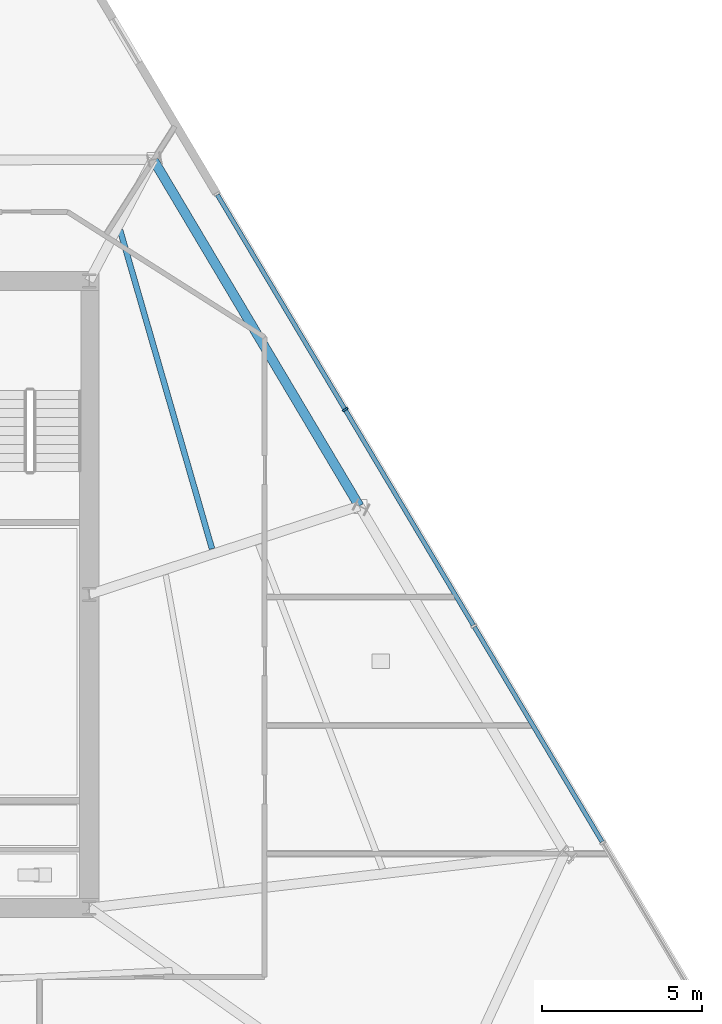
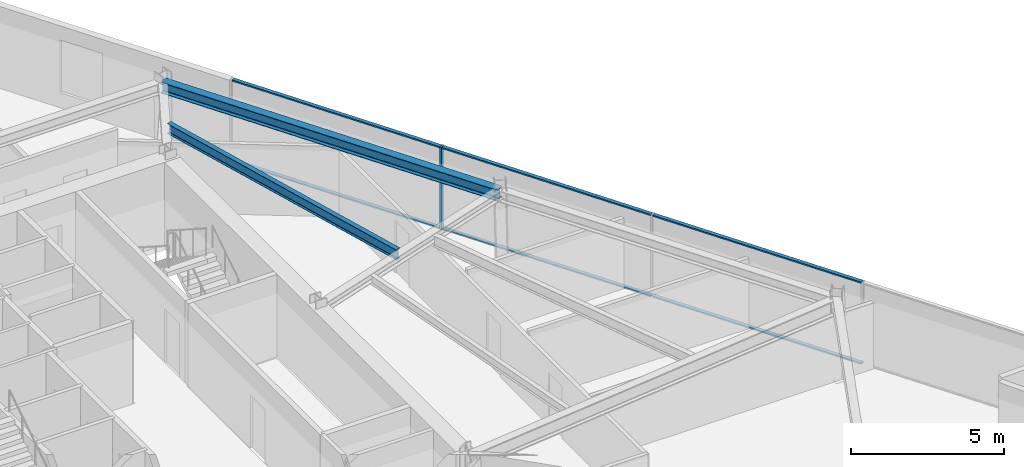
# One storey, part 5 of 15: 7 members, 2 beams, 1 element without a shape of its own.
"""IFC4 building model written with IfcOpenShell, lengths in metres."""

from ifc_helpers import new_model, si_unit, direction, frame, origin, origin_2d, place, context, subcontext, project, spatial, rectangle, i_section, extrude, material, material_profile, profile_set, type_object, element, aggregate, save


model = new_model("IFC4")

# Units and contexts
model_context = context("Model", 3, precision=1e-05, world=origin(), true_north=direction((0.0, 1.0)))
body_context = subcontext(model_context, "Body", "Model", "MODEL_VIEW")
ifc_project = project(units=[si_unit("LENGTHUNIT", "METRE"), si_unit("AREAUNIT", "SQUARE_METRE"), si_unit("VOLUMEUNIT", "CUBIC_METRE"), si_unit("PLANEANGLEUNIT", "RADIAN"), si_unit("MASSUNIT", "GRAM", prefix="KILO")], contexts=[model_context])

# Site, building, storey
site_placement = place(None, origin())
site = spatial("IfcSite", under=ifc_project, at=site_placement, CompositionType="ELEMENT")
building_placement = place(site_placement, origin())
building = spatial("IfcBuilding", under=site, at=building_placement, Name="Savorim Split Tower", CompositionType="ELEMENT")
storey_placement = place(building_placement, frame((0.0, 0.0, 125.699951171875)))
storey = spatial("IfcBuildingStorey", under=building, at=storey_placement, Name="L33", CompositionType="ELEMENT", Elevation=125.699951171875)

# Beams
ifc_material_1 = material(Name="Steel S355", Category="steel")
ifc_material_profile_1 = material_profile(ifc_material_1, i_section(OverallWidth=0.179931640625, OverallDepth=0.39990234375, WebThickness=0.008544921875, FlangeThickness=0.013427734375, FilletRadius=0.02099609375, at=origin_2d()), Name="IPE 400")
ifc_profile_set_1 = profile_set([ifc_material_profile_1], Name="Steel S355")
beam_type_1 = type_object("IfcBeamType", Name="BM-JST-IPE400", PredefinedType="JOIST", material=ifc_profile_set_1)
beam_1_placement = place(storey_placement, frame((11.5390625, 1.8251953125, 3.080078125), z_axis=(-0.277061195584, 0.960852274755, 0.0), x_axis=(-0.960852274755, -0.277061195584, 0.0)))
element("IfcBeam", 1, at=beam_1_placement, inside=storey, type_object=beam_type_1, Name="L33 Secondary Floor Joist JS-07", PredefinedType="JOIST", context=body_context, shape_type="SweptSolid", body=[
    extrude(i_section(OverallWidth=0.179931640625, OverallDepth=0.39990234375, WebThickness=0.008544921875, FlangeThickness=0.013427734375, FilletRadius=0.02099609375, at=origin_2d()), origin(), (0.0, 0.0, 1.0), 10.372314453125),
])
ifc_material_profile_2 = material_profile(ifc_material_1, i_section(OverallWidth=0.300048828125, OverallDepth=0.43994140625, WebThickness=0.011474609375, FlangeThickness=0.02099609375, FilletRadius=0.027099609375, at=origin_2d()), Name="HEA 450")
ifc_profile_set_2 = profile_set([ifc_material_profile_2], Name="Steel S355")
beam_type_2 = type_object("IfcBeamType", Name="BM-SPN-HEA450", PredefinedType="SPANDREL", material=ifc_profile_set_2)
beam_2_placement = place(storey_placement, frame((16.14208984375, 3.1640625, 3.06005859375), z_axis=(-0.511086612848, 0.859529216588, 0.0), x_axis=(-0.859529216588, -0.511086612848, 0.0)))
element("IfcBeam", 2, at=beam_2_placement, inside=storey, type_object=beam_type_2, Name="L33 Perimeter Spandrel Beam 6", PredefinedType="SPANDREL", context=body_context, shape_type="SweptSolid", body=[
    extrude(i_section(OverallWidth=0.300048828125, OverallDepth=0.43994140625, WebThickness=0.011474609375, FlangeThickness=0.02099609375, FilletRadius=0.027099609375, at=origin_2d()), origin(), (0.0, 0.0, 1.0), 12.60009765625),
])

# Curtain wall, members
ifc_material_2 = material(Name="Dark Ceramic-Fritted Insulated Glass", Category="glass")
curtain_wall_type = type_object("IfcCurtainWallType", Name="CW-TWR-FRIT-A", PredefinedType="NOTDEFINED", material=ifc_material_2)
curtain_wall_placement = place(storey_placement, origin())
curtain_wall = element("IfcCurtainWall", 3, at=curtain_wall_placement, inside=storey, type_object=curtain_wall_type, Name="L33 Curtain Wall CW-L33-EAST", PredefinedType="NOTDEFINED")
ifc_material_3 = material(Name="Charcoal Anodised Aluminium", Category="aluminium")
ifc_material_profile_3 = material_profile(ifc_material_3, rectangle(XDim=0.179931640625, YDim=0.06494140625, at=origin_2d()), Name="ALU-M 180x65")
ifc_profile_set_3 = profile_set([ifc_material_profile_3], Name="Charcoal Anodised Aluminium")
member_type_1 = type_object("IfcMemberType", Name="CWM-180x65", PredefinedType="MULLION", material=ifc_profile_set_3)
member_1_placement = place(storey_placement, frame((15.6982421875, 6.1806640625, 0.0), z_axis=(0.0, 0.0, 1.0), x_axis=(-0.859525409745, -0.51109301502, 0.0)))
member_1 = element("IfcMember", 4, at=member_1_placement, type_object=member_type_1, Name="CW-02 mullion 4", PredefinedType="MULLION", context=body_context, shape_type="SweptSolid", body=[
    extrude(rectangle(XDim=0.179931640625, YDim=0.06494140625, at=origin_2d()), origin(), (0.0, 0.0, 1.0), 3.280029296875),
])
ifc_material_profile_4 = material_profile(ifc_material_3, rectangle(XDim=0.139892578125, YDim=0.054931640625, at=origin_2d()), Name="ALU-T 140x55")
ifc_profile_set_4 = profile_set([ifc_material_profile_4], Name="Charcoal Anodised Aluminium")
member_type_2 = type_object("IfcMemberType", Name="CWT-140x55", PredefinedType="USERDEFINED", material=ifc_profile_set_4)
member_2_placement = place(storey_placement, frame((23.7314453125, -7.328857421875, 0.027587890625), z_axis=(-0.511099111731, 0.859521784475, 0.0), x_axis=(-0.859521784475, -0.511099111731, 0.0)))
member_2 = element("IfcMember", 5, at=member_2_placement, type_object=member_type_2, Name="CW-02 transom 2.1", ObjectType="TRANSOM", PredefinedType="USERDEFINED", context=body_context, shape_type="SweptSolid", body=[
    extrude(rectangle(XDim=0.139892578125, YDim=0.054931640625, at=origin_2d()), origin(), (0.0, 0.0, 1.0), 7.81005859375),
])
member_3_placement = place(storey_placement, frame((23.7314453125, -7.328857421875, 3.25244140625), z_axis=(-0.511099111731, 0.859521784475, 0.0), x_axis=(-0.859521784475, -0.511099111731, 0.0)))
member_3 = element("IfcMember", 6, at=member_3_placement, type_object=member_type_2, Name="CW-02 transom 2.2", ObjectType="TRANSOM", PredefinedType="USERDEFINED", context=body_context, shape_type="SweptSolid", body=[
    extrude(rectangle(XDim=0.139892578125, YDim=0.054931640625, at=origin_2d()), origin(), (0.0, 0.0, 1.0), 7.81005859375),
])
member_4_placement = place(storey_placement, frame((19.70654296875, -0.56005859375, 0.027587890625), z_axis=(-0.511099111731, 0.859521784475, 0.0), x_axis=(-0.859521784475, -0.511099111731, 0.0)))
member_4 = element("IfcMember", 7, at=member_4_placement, type_object=member_type_2, Name="CW-02 transom 3.1", ObjectType="TRANSOM", PredefinedType="USERDEFINED", context=body_context, shape_type="SweptSolid", body=[
    extrude(rectangle(XDim=0.139892578125, YDim=0.054931640625, at=origin_2d()), origin(), (0.0, 0.0, 1.0), 7.81005859375),
])
member_5_placement = place(storey_placement, frame((19.70654296875, -0.56005859375, 3.25244140625), z_axis=(-0.511099111731, 0.859521784475, 0.0), x_axis=(-0.859521784475, -0.511099111731, 0.0)))
member_5 = element("IfcMember", 8, at=member_5_placement, type_object=member_type_2, Name="CW-02 transom 3.2", ObjectType="TRANSOM", PredefinedType="USERDEFINED", context=body_context, shape_type="SweptSolid", body=[
    extrude(rectangle(XDim=0.139892578125, YDim=0.054931640625, at=origin_2d()), origin(), (0.0, 0.0, 1.0), 7.81005859375),
])
member_6_placement = place(storey_placement, frame((15.681640625, 6.208740234375, 0.027587890625), z_axis=(-0.511084795046, 0.859530297472, 0.0), x_axis=(-0.859530297472, -0.511084795046, 0.0)))
member_6 = element("IfcMember", 9, at=member_6_placement, type_object=member_type_2, Name="CW-02 transom 4.1", ObjectType="TRANSOM", PredefinedType="USERDEFINED", context=body_context, shape_type="SweptSolid", body=[
    extrude(rectangle(XDim=0.139892578125, YDim=0.054931640625, at=origin_2d()), origin(), (0.0, 0.0, 1.0), 7.77734375),
])
member_7_placement = place(storey_placement, frame((15.681640625, 6.208740234375, 3.25244140625), z_axis=(-0.511084795046, 0.859530297472, 0.0), x_axis=(-0.859530297472, -0.511084795046, 0.0)))
member_7 = element("IfcMember", 10, at=member_7_placement, type_object=member_type_2, Name="CW-02 transom 4.2", ObjectType="TRANSOM", PredefinedType="USERDEFINED", context=body_context, shape_type="SweptSolid", body=[
    extrude(rectangle(XDim=0.139892578125, YDim=0.054931640625, at=origin_2d()), origin(), (0.0, 0.0, 1.0), 7.77734375),
])
aggregate(curtain_wall, [member_1, member_2, member_3, member_4, member_5, member_6, member_7])

save(model, "model.ifc")
